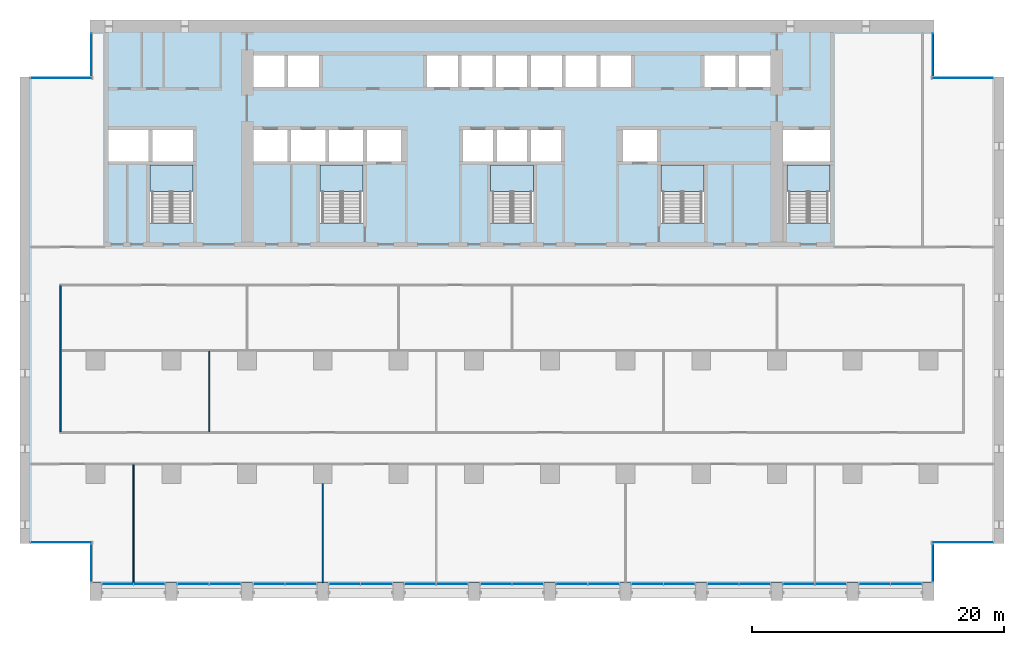
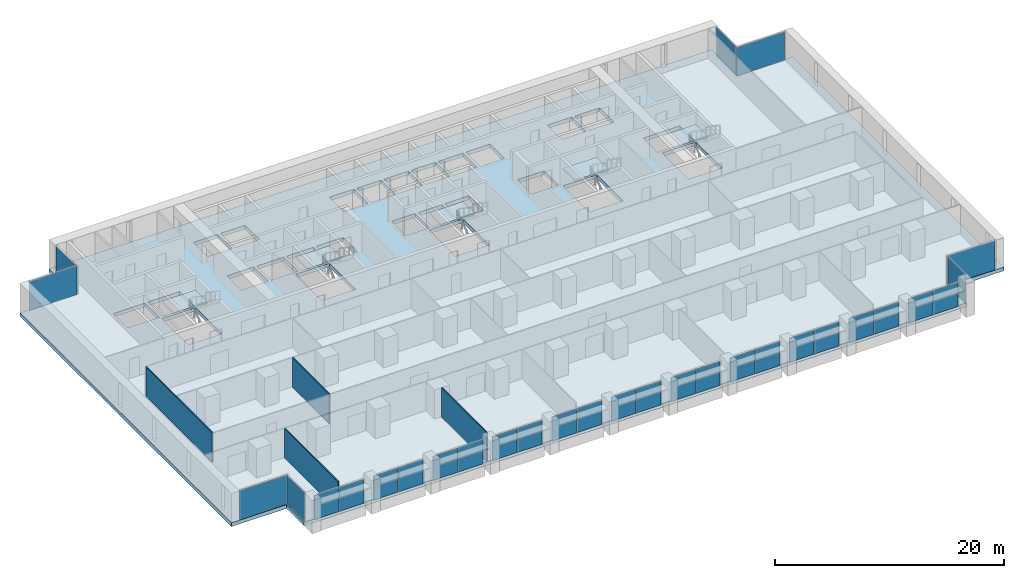
# One storey, part 7 of 18: 30 plates, 6 slabs, 4 walls, 24 elements without a shape of their own.
"""IFC4 building model written with IfcOpenShell, lengths in metres."""

from ifc_helpers import new_model, si_unit, direction, frame, frame_2d, origin, origin_2d, place, context, subcontext, project, spatial, polyline, rectangle, outline, extrude, material, layer, layer_set, type_object, element, aggregate, save


model = new_model("IFC4")

# Units and contexts
model_context = context("Model", 3, precision=1e-05, world=origin(), true_north=direction((0.0, 1.0)))
body_context = subcontext(model_context, "Body", "Model", "MODEL_VIEW")
ifc_project = project(units=[si_unit("LENGTHUNIT", "METRE"), si_unit("AREAUNIT", "SQUARE_METRE"), si_unit("VOLUMEUNIT", "CUBIC_METRE"), si_unit("PLANEANGLEUNIT", "RADIAN"), si_unit("MASSUNIT", "GRAM", prefix="KILO")], contexts=[model_context])

# Site, building, storey
site_placement = place(None, origin())
site = spatial("IfcSite", under=ifc_project, at=site_placement, CompositionType="ELEMENT")
building_placement = place(site_placement, origin())
building = spatial("IfcBuilding", under=site, at=building_placement, Name="Calvaro Tower", CompositionType="ELEMENT")
storey_placement = place(building_placement, frame((0.0, 0.0, 86.25)))
storey = spatial("IfcBuildingStorey", under=building, at=storey_placement, Name="L21", CompositionType="ELEMENT", Elevation=86.25)

# Slab
ifc_material_1 = material(Name="Concrete C40/50", Category="concrete")
ifc_layer_1 = layer(ifc_material_1, 0.39990234375)
ifc_layer_set_1 = layer_set([ifc_layer_1], Name="Concrete C40/50")
slab_type_1 = type_object("IfcSlabType", Name="Floor slab 400 C40/50", PredefinedType="FLOOR", material=ifc_layer_set_1)
slab_1_placement = place(storey_placement, frame((0.0, 0.0, -0.39990234375)))
element("IfcSlab", 1, at=slab_1_placement, inside=storey, type_object=slab_type_1, Name="Floor slab", PredefinedType="FLOOR", context=body_context, shape_type="SweptSolid", body=[
    extrude(outline(polyline([(72.449951171875, 4.5), (72.449951171875, 1.39990234375), (5.550048828125, 1.39990234375), (5.550048828125, 4.5), (0.0, 4.5), (0.0, 41.5), (5.550048828125, 41.5), (5.550048828125, 46.0), (72.449951171875, 46.0), (72.449951171875, 41.5), (78.0, 41.5), (78.0, 4.5), (72.449951171875, 4.5)]), holes=[polyline([(10.300048828125, 29.909912109375), (10.300048828125, 34.5), (12.0, 34.5), (13.699951171875, 34.5), (13.699951171875, 29.909912109375), (12.0, 29.909912109375), (10.300048828125, 29.909912109375)]), polyline([(23.800048828125, 29.909912109375), (23.800048828125, 34.5), (25.5, 34.5), (27.199951171875, 34.5), (27.199951171875, 29.909912109375), (25.5, 29.909912109375), (23.800048828125, 29.909912109375)]), polyline([(37.300048828125, 29.909912109375), (37.300048828125, 34.5), (39.0, 34.5), (40.699951171875, 34.5), (40.699951171875, 29.909912109375), (39.0, 29.909912109375), (37.300048828125, 29.909912109375)]), polyline([(50.800048828125, 29.909912109375), (50.800048828125, 34.5), (52.5, 34.5), (54.199951171875, 34.5), (54.199951171875, 29.909912109375), (52.5, 29.909912109375), (50.800048828125, 29.909912109375)]), polyline([(60.800048828125, 29.909912109375), (60.800048828125, 34.5), (62.5, 34.5), (64.199951171875, 34.5), (64.199951171875, 29.909912109375), (62.5, 29.909912109375), (60.800048828125, 29.909912109375)]), polyline([(18.5, 34.800048828125), (21.199951171875, 34.800048828125), (21.199951171875, 37.300048828125), (18.5, 37.300048828125), (18.5, 34.800048828125)]), polyline([(21.5, 34.800048828125), (24.199951171875, 34.800048828125), (24.199951171875, 37.300048828125), (21.5, 37.300048828125), (21.5, 34.800048828125)]), polyline([(24.5, 34.800048828125), (27.199951171875, 34.800048828125), (27.199951171875, 37.300048828125), (24.5, 37.300048828125), (24.5, 34.800048828125)]), polyline([(35.10009765625, 34.800048828125), (37.5, 34.800048828125), (37.5, 37.300048828125), (35.10009765625, 37.300048828125), (35.10009765625, 34.800048828125)]), polyline([(37.800048828125, 34.800048828125), (40.199951171875, 34.800048828125), (40.199951171875, 37.300048828125), (37.800048828125, 37.300048828125), (37.800048828125, 34.800048828125)]), polyline([(40.5, 34.800048828125), (42.89990234375, 34.800048828125), (42.89990234375, 37.300048828125), (40.5, 37.300048828125), (40.5, 34.800048828125)]), polyline([(18.5, 40.699951171875), (20.949951171875, 40.699951171875), (20.949951171875, 43.199951171875), (18.5, 43.199951171875), (18.5, 40.699951171875)]), polyline([(21.25, 40.699951171875), (23.699951171875, 40.699951171875), (23.699951171875, 43.199951171875), (21.25, 43.199951171875), (21.25, 40.699951171875)]), polyline([(32.25, 40.699951171875), (34.699951171875, 40.699951171875), (34.699951171875, 43.199951171875), (32.25, 43.199951171875), (32.25, 40.699951171875)]), polyline([(35.0, 40.699951171875), (37.449951171875, 40.699951171875), (37.449951171875, 43.199951171875), (35.0, 43.199951171875), (35.0, 40.699951171875)]), polyline([(37.75, 40.699951171875), (40.199951171875, 40.699951171875), (40.199951171875, 43.199951171875), (37.75, 43.199951171875), (37.75, 40.699951171875)]), polyline([(40.5, 40.699951171875), (42.949951171875, 40.699951171875), (42.949951171875, 43.199951171875), (40.5, 43.199951171875), (40.5, 40.699951171875)]), polyline([(43.25, 40.699951171875), (45.699951171875, 40.699951171875), (45.699951171875, 43.199951171875), (43.25, 43.199951171875), (43.25, 40.699951171875)]), polyline([(46.0, 40.699951171875), (48.449951171875, 40.699951171875), (48.449951171875, 43.199951171875), (46.0, 43.199951171875), (46.0, 40.699951171875)]), polyline([(54.25, 40.699951171875), (56.699951171875, 40.699951171875), (56.699951171875, 43.199951171875), (54.25, 43.199951171875), (54.25, 40.699951171875)]), polyline([(57.0, 40.699951171875), (59.5, 40.699951171875), (59.5, 43.199951171875), (57.0, 43.199951171875), (57.0, 40.699951171875)]), polyline([(7.0, 34.800048828125), (10.199951171875, 34.800048828125), (10.199951171875, 37.300048828125), (7.0, 37.300048828125), (7.0, 34.800048828125)]), polyline([(10.5, 34.800048828125), (13.699951171875, 34.800048828125), (13.699951171875, 37.300048828125), (10.5, 37.300048828125), (10.5, 34.800048828125)]), polyline([(60.5, 34.800048828125), (64.199951171875, 34.800048828125), (64.199951171875, 37.300048828125), (60.5, 37.300048828125), (60.5, 34.800048828125)]), polyline([(27.5, 34.800048828125), (30.199951171875, 34.800048828125), (30.199951171875, 37.300048828125), (27.5, 37.300048828125), (27.5, 34.800048828125)]), polyline([(47.800048828125, 34.800048828125), (50.5, 34.800048828125), (50.5, 37.300048828125), (47.800048828125, 37.300048828125), (47.800048828125, 34.800048828125)])]), origin(), (0.0, 0.0, 1.0), 0.39990234375),
])

# Curtain wall, plates
ifc_material_2 = material(Name="Anodised aluminium", Category="aluminium")
curtain_wall_type = type_object("IfcCurtainWallType", Name="Office curtain wall, lower zone", PredefinedType="NOTDEFINED", material=ifc_material_2)
curtain_wall_1_placement = place(storey_placement, origin())
curtain_wall_1 = element("IfcCurtainWall", 2, at=curtain_wall_1_placement, inside=storey, type_object=curtain_wall_type, Name="CW1 south curtain wall", PredefinedType="NOTDEFINED")
ifc_material_3 = material(Name="Glass", Category="glass")
ifc_layer_2 = layer(ifc_material_3, 0.028076171875)
ifc_layer_set_2 = layer_set([ifc_layer_2], Name="Glass")
plate_type = type_object("IfcPlateType", Name="Glass panel S1 28", PredefinedType="CURTAIN_PANEL", material=ifc_layer_set_2)
plate_1_placement = place(storey_placement, frame((7.739990234375, 1.300048828125, 0.0), z_axis=(0.0, 0.0, 1.0), x_axis=(1.0, 0.0, 0.0)))
plate_1 = element("IfcPlate", 3, at=plate_1_placement, type_object=plate_type, Name="CW1 glass panel 1.1", PredefinedType="CURTAIN_PANEL", context=body_context, shape_type="SweptSolid", body=[
    extrude(rectangle(XDim=2.4599609375, YDim=0.028076171875, at=origin_2d()), origin(), (0.0, 0.0, 1.0), 2.550048828125),
])
plate_2_placement = place(storey_placement, frame((10.260009765625, 1.300048828125, 0.0), z_axis=(0.0, 0.0, 1.0), x_axis=(1.0, 0.0, 0.0)))
plate_2 = element("IfcPlate", 4, at=plate_2_placement, type_object=plate_type, Name="CW1 glass panel 2.1", PredefinedType="CURTAIN_PANEL", context=body_context, shape_type="SweptSolid", body=[
    extrude(rectangle(XDim=2.4599609375, YDim=0.028076171875, at=origin_2d()), origin(), (0.0, 0.0, 1.0), 2.550048828125),
])
aggregate(curtain_wall_1, [plate_1, plate_2])

curtain_wall_2_placement = place(storey_placement, origin())
curtain_wall_2 = element("IfcCurtainWall", 5, at=curtain_wall_2_placement, inside=storey, type_object=curtain_wall_type, Name="CW1 south curtain wall", PredefinedType="NOTDEFINED")
plate_3_placement = place(storey_placement, frame((13.739990234375, 1.300048828125, 0.0), z_axis=(0.0, 0.0, 1.0), x_axis=(1.0, 0.0, 0.0)))
plate_3 = element("IfcPlate", 6, at=plate_3_placement, type_object=plate_type, Name="CW1 glass panel 1.1", PredefinedType="CURTAIN_PANEL", context=body_context, shape_type="SweptSolid", body=[
    extrude(rectangle(XDim=2.4599609375, YDim=0.028076171875, at=origin_2d()), origin(), (0.0, 0.0, 1.0), 2.550048828125),
])
plate_4_placement = place(storey_placement, frame((16.260009765625, 1.300048828125, 0.0), z_axis=(0.0, 0.0, 1.0), x_axis=(1.0, 0.0, 0.0)))
plate_4 = element("IfcPlate", 7, at=plate_4_placement, type_object=plate_type, Name="CW1 glass panel 2.1", PredefinedType="CURTAIN_PANEL", context=body_context, shape_type="SweptSolid", body=[
    extrude(rectangle(XDim=2.4599609375, YDim=0.028076171875, at=origin_2d()), origin(), (0.0, 0.0, 1.0), 2.550048828125),
])
aggregate(curtain_wall_2, [plate_3, plate_4])

curtain_wall_3_placement = place(storey_placement, origin())
curtain_wall_3 = element("IfcCurtainWall", 8, at=curtain_wall_3_placement, inside=storey, type_object=curtain_wall_type, Name="CW1 south curtain wall", PredefinedType="NOTDEFINED")
plate_5_placement = place(storey_placement, frame((19.739990234375, 1.300048828125, 0.0), z_axis=(0.0, 0.0, 1.0), x_axis=(1.0, 0.0, 0.0)))
plate_5 = element("IfcPlate", 9, at=plate_5_placement, type_object=plate_type, Name="CW1 glass panel 1.1", PredefinedType="CURTAIN_PANEL", context=body_context, shape_type="SweptSolid", body=[
    extrude(rectangle(XDim=2.4599609375, YDim=0.028076171875, at=origin_2d()), origin(), (0.0, 0.0, 1.0), 2.550048828125),
])
plate_6_placement = place(storey_placement, frame((22.260009765625, 1.300048828125, 0.0), z_axis=(0.0, 0.0, 1.0), x_axis=(1.0, 0.0, 0.0)))
plate_6 = element("IfcPlate", 10, at=plate_6_placement, type_object=plate_type, Name="CW1 glass panel 2.1", PredefinedType="CURTAIN_PANEL", context=body_context, shape_type="SweptSolid", body=[
    extrude(rectangle(XDim=2.4599609375, YDim=0.028076171875, at=origin_2d()), origin(), (0.0, 0.0, 1.0), 2.550048828125),
])
aggregate(curtain_wall_3, [plate_5, plate_6])

curtain_wall_4_placement = place(storey_placement, origin())
curtain_wall_4 = element("IfcCurtainWall", 11, at=curtain_wall_4_placement, inside=storey, type_object=curtain_wall_type, Name="CW1 south curtain wall", PredefinedType="NOTDEFINED")
plate_7_placement = place(storey_placement, frame((25.739990234375, 1.300048828125, 0.0), z_axis=(0.0, 0.0, 1.0), x_axis=(1.0, 0.0, 0.0)))
plate_7 = element("IfcPlate", 12, at=plate_7_placement, type_object=plate_type, Name="CW1 glass panel 1.1", PredefinedType="CURTAIN_PANEL", context=body_context, shape_type="SweptSolid", body=[
    extrude(rectangle(XDim=2.4599609375, YDim=0.028076171875, at=origin_2d()), origin(), (0.0, 0.0, 1.0), 2.550048828125),
])
plate_8_placement = place(storey_placement, frame((28.260009765625, 1.300048828125, 0.0), z_axis=(0.0, 0.0, 1.0), x_axis=(1.0, 0.0, 0.0)))
plate_8 = element("IfcPlate", 13, at=plate_8_placement, type_object=plate_type, Name="CW1 glass panel 2.1", PredefinedType="CURTAIN_PANEL", context=body_context, shape_type="SweptSolid", body=[
    extrude(rectangle(XDim=2.4599609375, YDim=0.028076171875, at=origin_2d()), origin(), (0.0, 0.0, 1.0), 2.550048828125),
])
aggregate(curtain_wall_4, [plate_7, plate_8])

curtain_wall_5_placement = place(storey_placement, origin())
curtain_wall_5 = element("IfcCurtainWall", 14, at=curtain_wall_5_placement, inside=storey, type_object=curtain_wall_type, Name="CW1 south curtain wall", PredefinedType="NOTDEFINED")
plate_9_placement = place(storey_placement, frame((31.739990234375, 1.300048828125, 0.0), z_axis=(0.0, 0.0, 1.0), x_axis=(1.0, 0.0, 0.0)))
plate_9 = element("IfcPlate", 15, at=plate_9_placement, type_object=plate_type, Name="CW1 glass panel 1.1", PredefinedType="CURTAIN_PANEL", context=body_context, shape_type="SweptSolid", body=[
    extrude(rectangle(XDim=2.4599609375, YDim=0.028076171875, at=origin_2d()), origin(), (0.0, 0.0, 1.0), 2.550048828125),
])
plate_10_placement = place(storey_placement, frame((34.260009765625, 1.300048828125, 0.0), z_axis=(0.0, 0.0, 1.0), x_axis=(1.0, 0.0, 0.0)))
plate_10 = element("IfcPlate", 16, at=plate_10_placement, type_object=plate_type, Name="CW1 glass panel 2.1", PredefinedType="CURTAIN_PANEL", context=body_context, shape_type="SweptSolid", body=[
    extrude(rectangle(XDim=2.4599609375, YDim=0.028076171875, at=origin_2d()), origin(), (0.0, 0.0, 1.0), 2.550048828125),
])
aggregate(curtain_wall_5, [plate_9, plate_10])

curtain_wall_6_placement = place(storey_placement, origin())
curtain_wall_6 = element("IfcCurtainWall", 17, at=curtain_wall_6_placement, inside=storey, type_object=curtain_wall_type, Name="CW1 south curtain wall", PredefinedType="NOTDEFINED")
plate_11_placement = place(storey_placement, frame((37.739990234375, 1.300048828125, 0.0), z_axis=(0.0, 0.0, 1.0), x_axis=(1.0, 0.0, 0.0)))
plate_11 = element("IfcPlate", 18, at=plate_11_placement, type_object=plate_type, Name="CW1 glass panel 1.1", PredefinedType="CURTAIN_PANEL", context=body_context, shape_type="SweptSolid", body=[
    extrude(rectangle(XDim=2.4599609375, YDim=0.028076171875, at=origin_2d()), origin(), (0.0, 0.0, 1.0), 2.550048828125),
])
plate_12_placement = place(storey_placement, frame((40.260009765625, 1.300048828125, 0.0), z_axis=(0.0, 0.0, 1.0), x_axis=(1.0, 0.0, 0.0)))
plate_12 = element("IfcPlate", 19, at=plate_12_placement, type_object=plate_type, Name="CW1 glass panel 2.1", PredefinedType="CURTAIN_PANEL", context=body_context, shape_type="SweptSolid", body=[
    extrude(rectangle(XDim=2.4599609375, YDim=0.028076171875, at=origin_2d()), origin(), (0.0, 0.0, 1.0), 2.550048828125),
])
aggregate(curtain_wall_6, [plate_11, plate_12])

curtain_wall_7_placement = place(storey_placement, origin())
curtain_wall_7 = element("IfcCurtainWall", 20, at=curtain_wall_7_placement, inside=storey, type_object=curtain_wall_type, Name="CW1 south curtain wall", PredefinedType="NOTDEFINED")
plate_13_placement = place(storey_placement, frame((43.739990234375, 1.300048828125, 0.0), z_axis=(0.0, 0.0, 1.0), x_axis=(1.0, 0.0, 0.0)))
plate_13 = element("IfcPlate", 21, at=plate_13_placement, type_object=plate_type, Name="CW1 glass panel 1.1", PredefinedType="CURTAIN_PANEL", context=body_context, shape_type="SweptSolid", body=[
    extrude(rectangle(XDim=2.4599609375, YDim=0.028076171875, at=origin_2d()), origin(), (0.0, 0.0, 1.0), 2.550048828125),
])
plate_14_placement = place(storey_placement, frame((46.260009765625, 1.300048828125, 0.0), z_axis=(0.0, 0.0, 1.0), x_axis=(1.0, 0.0, 0.0)))
plate_14 = element("IfcPlate", 22, at=plate_14_placement, type_object=plate_type, Name="CW1 glass panel 2.1", PredefinedType="CURTAIN_PANEL", context=body_context, shape_type="SweptSolid", body=[
    extrude(rectangle(XDim=2.4599609375, YDim=0.028076171875, at=origin_2d()), origin(), (0.0, 0.0, 1.0), 2.550048828125),
])
aggregate(curtain_wall_7, [plate_13, plate_14])

curtain_wall_8_placement = place(storey_placement, origin())
curtain_wall_8 = element("IfcCurtainWall", 23, at=curtain_wall_8_placement, inside=storey, type_object=curtain_wall_type, Name="CW1 south curtain wall", PredefinedType="NOTDEFINED")
plate_15_placement = place(storey_placement, frame((49.739990234375, 1.300048828125, 0.0), z_axis=(0.0, 0.0, 1.0), x_axis=(1.0, 0.0, 0.0)))
plate_15 = element("IfcPlate", 24, at=plate_15_placement, type_object=plate_type, Name="CW1 glass panel 1.1", PredefinedType="CURTAIN_PANEL", context=body_context, shape_type="SweptSolid", body=[
    extrude(rectangle(XDim=2.4599609375, YDim=0.028076171875, at=origin_2d()), origin(), (0.0, 0.0, 1.0), 2.550048828125),
])
plate_16_placement = place(storey_placement, frame((52.260009765625, 1.300048828125, 0.0), z_axis=(0.0, 0.0, 1.0), x_axis=(1.0, 0.0, 0.0)))
plate_16 = element("IfcPlate", 25, at=plate_16_placement, type_object=plate_type, Name="CW1 glass panel 2.1", PredefinedType="CURTAIN_PANEL", context=body_context, shape_type="SweptSolid", body=[
    extrude(rectangle(XDim=2.4599609375, YDim=0.028076171875, at=origin_2d()), origin(), (0.0, 0.0, 1.0), 2.550048828125),
])
aggregate(curtain_wall_8, [plate_15, plate_16])

curtain_wall_9_placement = place(storey_placement, origin())
curtain_wall_9 = element("IfcCurtainWall", 26, at=curtain_wall_9_placement, inside=storey, type_object=curtain_wall_type, Name="CW1 south curtain wall", PredefinedType="NOTDEFINED")
plate_17_placement = place(storey_placement, frame((55.739990234375, 1.300048828125, 0.0), z_axis=(0.0, 0.0, 1.0), x_axis=(1.0, 0.0, 0.0)))
plate_17 = element("IfcPlate", 27, at=plate_17_placement, type_object=plate_type, Name="CW1 glass panel 1.1", PredefinedType="CURTAIN_PANEL", context=body_context, shape_type="SweptSolid", body=[
    extrude(rectangle(XDim=2.4599609375, YDim=0.028076171875, at=origin_2d()), origin(), (0.0, 0.0, 1.0), 2.550048828125),
])
plate_18_placement = place(storey_placement, frame((58.260009765625, 1.300048828125, 0.0), z_axis=(0.0, 0.0, 1.0), x_axis=(1.0, 0.0, 0.0)))
plate_18 = element("IfcPlate", 28, at=plate_18_placement, type_object=plate_type, Name="CW1 glass panel 2.1", PredefinedType="CURTAIN_PANEL", context=body_context, shape_type="SweptSolid", body=[
    extrude(rectangle(XDim=2.4599609375, YDim=0.028076171875, at=origin_2d()), origin(), (0.0, 0.0, 1.0), 2.550048828125),
])
aggregate(curtain_wall_9, [plate_17, plate_18])

curtain_wall_10_placement = place(storey_placement, origin())
curtain_wall_10 = element("IfcCurtainWall", 29, at=curtain_wall_10_placement, inside=storey, type_object=curtain_wall_type, Name="CW1 south curtain wall", PredefinedType="NOTDEFINED")
plate_19_placement = place(storey_placement, frame((61.739990234375, 1.300048828125, 0.0), z_axis=(0.0, 0.0, 1.0), x_axis=(1.0, 0.0, 0.0)))
plate_19 = element("IfcPlate", 30, at=plate_19_placement, type_object=plate_type, Name="CW1 glass panel 1.1", PredefinedType="CURTAIN_PANEL", context=body_context, shape_type="SweptSolid", body=[
    extrude(rectangle(XDim=2.4599609375, YDim=0.028076171875, at=origin_2d()), origin(), (0.0, 0.0, 1.0), 2.550048828125),
])
plate_20_placement = place(storey_placement, frame((64.260009765625, 1.300048828125, 0.0), z_axis=(0.0, 0.0, 1.0), x_axis=(1.0, 0.0, 0.0)))
plate_20 = element("IfcPlate", 31, at=plate_20_placement, type_object=plate_type, Name="CW1 glass panel 2.1", PredefinedType="CURTAIN_PANEL", context=body_context, shape_type="SweptSolid", body=[
    extrude(rectangle(XDim=2.4599609375, YDim=0.028076171875, at=origin_2d()), origin(), (0.0, 0.0, 1.0), 2.550048828125),
])
aggregate(curtain_wall_10, [plate_19, plate_20])

curtain_wall_11_placement = place(storey_placement, origin())
curtain_wall_11 = element("IfcCurtainWall", 32, at=curtain_wall_11_placement, inside=storey, type_object=curtain_wall_type, Name="CW1 south curtain wall", PredefinedType="NOTDEFINED")
plate_21_placement = place(storey_placement, frame((67.739990234375, 1.300048828125, 0.0), z_axis=(0.0, 0.0, 1.0), x_axis=(1.0, 0.0, 0.0)))
plate_21 = element("IfcPlate", 33, at=plate_21_placement, type_object=plate_type, Name="CW1 glass panel 1.1", PredefinedType="CURTAIN_PANEL", context=body_context, shape_type="SweptSolid", body=[
    extrude(rectangle(XDim=2.4599609375, YDim=0.028076171875, at=origin_2d()), origin(), (0.0, 0.0, 1.0), 2.550048828125),
])
plate_22_placement = place(storey_placement, frame((70.260009765625, 1.300048828125, 0.0), z_axis=(0.0, 0.0, 1.0), x_axis=(1.0, 0.0, 0.0)))
plate_22 = element("IfcPlate", 34, at=plate_22_placement, type_object=plate_type, Name="CW1 glass panel 2.1", PredefinedType="CURTAIN_PANEL", context=body_context, shape_type="SweptSolid", body=[
    extrude(rectangle(XDim=2.4599609375, YDim=0.028076171875, at=origin_2d()), origin(), (0.0, 0.0, 1.0), 2.550048828125),
])
aggregate(curtain_wall_11, [plate_21, plate_22])

# Curtain wall, plate
curtain_wall_12_placement = place(storey_placement, origin())
curtain_wall_12 = element("IfcCurtainWall", 35, at=curtain_wall_12_placement, inside=storey, type_object=curtain_wall_type, Name="CW1 corner curtain wall", PredefinedType="NOTDEFINED")
plate_23_placement = place(storey_placement, frame((5.64990234375, 2.949951171875, 0.0), z_axis=(0.0, 0.0, 1.0), x_axis=(0.0, 1.0, 0.0)))
plate_23 = element("IfcPlate", 36, at=plate_23_placement, type_object=plate_type, Name="CW1 glass panel 1.1", PredefinedType="CURTAIN_PANEL", context=body_context, shape_type="SweptSolid", body=[
    extrude(rectangle(XDim=2.97998046875, YDim=0.028076171875, at=origin_2d()), origin(), (0.0, 0.0, 1.0), 3.050048828125),
])
aggregate(curtain_wall_12, [plate_23])

curtain_wall_13_placement = place(storey_placement, origin())
curtain_wall_13 = element("IfcCurtainWall", 37, at=curtain_wall_13_placement, inside=storey, type_object=curtain_wall_type, Name="CW1 corner curtain wall", PredefinedType="NOTDEFINED")
plate_24_placement = place(storey_placement, frame((3.27490234375, 4.60009765625, 0.0), z_axis=(0.0, 0.0, 1.0), x_axis=(1.0, 0.0, 0.0)))
plate_24 = element("IfcPlate", 38, at=plate_24_placement, type_object=plate_type, Name="CW1 glass panel 1.1", PredefinedType="CURTAIN_PANEL", context=body_context, shape_type="SweptSolid", body=[
    extrude(rectangle(XDim=4.830078125, YDim=0.028076171875, at=origin_2d()), origin(), (0.0, 0.0, 1.0), 3.050048828125),
])
aggregate(curtain_wall_13, [plate_24])

curtain_wall_14_placement = place(storey_placement, origin())
curtain_wall_14 = element("IfcCurtainWall", 39, at=curtain_wall_14_placement, inside=storey, type_object=curtain_wall_type, Name="CW1 corner curtain wall", PredefinedType="NOTDEFINED")
plate_25_placement = place(storey_placement, frame((5.64990234375, 43.25, 0.0), z_axis=(0.0, 0.0, 1.0), x_axis=(0.0, 1.0, 0.0)))
plate_25 = element("IfcPlate", 40, at=plate_25_placement, type_object=plate_type, Name="CW1 glass panel 1.1", PredefinedType="CURTAIN_PANEL", context=body_context, shape_type="SweptSolid", body=[
    extrude(rectangle(XDim=3.3798828125, YDim=0.028076171875, at=origin_2d()), origin(), (0.0, 0.0, 1.0), 3.050048828125),
])
aggregate(curtain_wall_14, [plate_25])

curtain_wall_15_placement = place(storey_placement, origin())
curtain_wall_15 = element("IfcCurtainWall", 41, at=curtain_wall_15_placement, inside=storey, type_object=curtain_wall_type, Name="CW1 corner curtain wall", PredefinedType="NOTDEFINED")
plate_26_placement = place(storey_placement, frame((3.27490234375, 41.39990234375, 0.0), z_axis=(0.0, 0.0, 1.0), x_axis=(1.0, 0.0, 0.0)))
plate_26 = element("IfcPlate", 42, at=plate_26_placement, type_object=plate_type, Name="CW1 glass panel 1.1", PredefinedType="CURTAIN_PANEL", context=body_context, shape_type="SweptSolid", body=[
    extrude(rectangle(XDim=4.830078125, YDim=0.028076171875, at=origin_2d()), origin(), (0.0, 0.0, 1.0), 3.050048828125),
])
aggregate(curtain_wall_15, [plate_26])

curtain_wall_16_placement = place(storey_placement, origin())
curtain_wall_16 = element("IfcCurtainWall", 43, at=curtain_wall_16_placement, inside=storey, type_object=curtain_wall_type, Name="CW1 corner curtain wall", PredefinedType="NOTDEFINED")
plate_27_placement = place(storey_placement, frame((72.35009765625, 2.949951171875, 0.0), z_axis=(0.0, 0.0, 1.0), x_axis=(0.0, 1.0, 0.0)))
plate_27 = element("IfcPlate", 44, at=plate_27_placement, type_object=plate_type, Name="CW1 glass panel 1.1", PredefinedType="CURTAIN_PANEL", context=body_context, shape_type="SweptSolid", body=[
    extrude(rectangle(XDim=2.97998046875, YDim=0.028076171875, at=origin_2d()), origin(), (0.0, 0.0, 1.0), 3.050048828125),
])
aggregate(curtain_wall_16, [plate_27])

curtain_wall_17_placement = place(storey_placement, origin())
curtain_wall_17 = element("IfcCurtainWall", 45, at=curtain_wall_17_placement, inside=storey, type_object=curtain_wall_type, Name="CW1 corner curtain wall", PredefinedType="NOTDEFINED")
plate_28_placement = place(storey_placement, frame((74.72509765625, 4.60009765625, 0.0), z_axis=(0.0, 0.0, 1.0), x_axis=(1.0, 0.0, 0.0)))
plate_28 = element("IfcPlate", 46, at=plate_28_placement, type_object=plate_type, Name="CW1 glass panel 1.1", PredefinedType="CURTAIN_PANEL", context=body_context, shape_type="SweptSolid", body=[
    extrude(rectangle(XDim=4.830078125, YDim=0.028076171875, at=origin_2d()), origin(), (0.0, 0.0, 1.0), 3.050048828125),
])
aggregate(curtain_wall_17, [plate_28])

curtain_wall_18_placement = place(storey_placement, origin())
curtain_wall_18 = element("IfcCurtainWall", 47, at=curtain_wall_18_placement, inside=storey, type_object=curtain_wall_type, Name="CW1 corner curtain wall", PredefinedType="NOTDEFINED")
plate_29_placement = place(storey_placement, frame((72.35009765625, 43.25, 0.0), z_axis=(0.0, 0.0, 1.0), x_axis=(0.0, 1.0, 0.0)))
plate_29 = element("IfcPlate", 48, at=plate_29_placement, type_object=plate_type, Name="CW1 glass panel 1.1", PredefinedType="CURTAIN_PANEL", context=body_context, shape_type="SweptSolid", body=[
    extrude(rectangle(XDim=3.3798828125, YDim=0.028076171875, at=origin_2d()), origin(), (0.0, 0.0, 1.0), 3.050048828125),
])
aggregate(curtain_wall_18, [plate_29])

curtain_wall_19_placement = place(storey_placement, origin())
curtain_wall_19 = element("IfcCurtainWall", 49, at=curtain_wall_19_placement, inside=storey, type_object=curtain_wall_type, Name="CW1 corner curtain wall", PredefinedType="NOTDEFINED")
plate_30_placement = place(storey_placement, frame((74.72509765625, 41.39990234375, 0.0), z_axis=(0.0, 0.0, 1.0), x_axis=(1.0, 0.0, 0.0)))
plate_30 = element("IfcPlate", 50, at=plate_30_placement, type_object=plate_type, Name="CW1 glass panel 1.1", PredefinedType="CURTAIN_PANEL", context=body_context, shape_type="SweptSolid", body=[
    extrude(rectangle(XDim=4.830078125, YDim=0.028076171875, at=origin_2d()), origin(), (0.0, 0.0, 1.0), 3.050048828125),
])
aggregate(curtain_wall_19, [plate_30])

# Stair, slab
ifc_material_4 = material(Name="Concrete C40/50", Category="concrete")
stair_type = type_object("IfcStairType", Name="Exit stair 1400 2 flights", PredefinedType="HALF_TURN_STAIR", material=ifc_material_4)
stair_1_placement = place(storey_placement, origin())
stair_1 = element("IfcStair", 51, at=stair_1_placement, inside=storey, type_object=stair_type, Name="Exit stair S1", PredefinedType="HALF_TURN_STAIR")
ifc_material_5 = material(Name="Concrete C40/50", Category="concrete")
ifc_layer_3 = layer(ifc_material_5, 0.199951171875)
ifc_layer_set_3 = layer_set([ifc_layer_3], Name="Concrete C40/50")
slab_type_2 = type_object("IfcSlabType", Name="Stair landing", PredefinedType="LANDING", material=ifc_layer_set_3)
slab_2_placement = place(storey_placement, frame((0.0, 0.0, 1.675048828125)))
slab_2 = element("IfcSlab", 52, at=slab_2_placement, type_object=slab_type_2, Name="Exit stair 1, landing 1", PredefinedType="LANDING", context=body_context, shape_type="SweptSolid", body=[
    extrude(outline(polyline([(11.89990234375, 32.389892578125), (10.5, 32.389892578125), (10.5, 32.39990234375), (10.300048828125, 32.39990234375), (10.300048828125, 34.5), (10.5, 34.5), (11.89990234375, 34.5), (12.10009765625, 34.5), (13.5, 34.5), (13.699951171875, 34.5), (13.699951171875, 32.39990234375), (13.5, 32.39990234375), (13.5, 32.389892578125), (12.10009765625, 32.389892578125), (12.10009765625, 32.39990234375), (11.89990234375, 32.39990234375), (11.89990234375, 32.389892578125)])), origin(), (0.0, 0.0, 1.0), 0.199951171875),
])
aggregate(stair_1, [slab_2])

stair_2_placement = place(storey_placement, origin())
stair_2 = element("IfcStair", 53, at=stair_2_placement, inside=storey, type_object=stair_type, Name="Exit stair S2", PredefinedType="HALF_TURN_STAIR")
slab_3_placement = place(storey_placement, frame((0.0, 0.0, 1.675048828125)))
slab_3 = element("IfcSlab", 54, at=slab_3_placement, type_object=slab_type_2, Name="Exit stair 2, landing 1", PredefinedType="LANDING", context=body_context, shape_type="SweptSolid", body=[
    extrude(outline(polyline([(25.39990234375, 32.389892578125), (24.0, 32.389892578125), (24.0, 32.39990234375), (23.800048828125, 32.39990234375), (23.800048828125, 34.5), (24.0, 34.5), (25.39990234375, 34.5), (25.60009765625, 34.5), (27.0, 34.5), (27.199951171875, 34.5), (27.199951171875, 32.39990234375), (27.0, 32.39990234375), (27.0, 32.389892578125), (25.60009765625, 32.389892578125), (25.60009765625, 32.39990234375), (25.39990234375, 32.39990234375), (25.39990234375, 32.389892578125)])), origin(), (0.0, 0.0, 1.0), 0.199951171875),
])
aggregate(stair_2, [slab_3])

stair_3_placement = place(storey_placement, origin())
stair_3 = element("IfcStair", 55, at=stair_3_placement, inside=storey, type_object=stair_type, Name="Exit stair S3", PredefinedType="HALF_TURN_STAIR")
slab_4_placement = place(storey_placement, frame((0.0, 0.0, 1.675048828125)))
slab_4 = element("IfcSlab", 56, at=slab_4_placement, type_object=slab_type_2, Name="Exit stair 3, landing 1", PredefinedType="LANDING", context=body_context, shape_type="SweptSolid", body=[
    extrude(outline(polyline([(38.89990234375, 32.389892578125), (37.5, 32.389892578125), (37.5, 32.39990234375), (37.300048828125, 32.39990234375), (37.300048828125, 34.5), (37.5, 34.5), (38.89990234375, 34.5), (39.10009765625, 34.5), (40.5, 34.5), (40.699951171875, 34.5), (40.699951171875, 32.39990234375), (40.5, 32.39990234375), (40.5, 32.389892578125), (39.10009765625, 32.389892578125), (39.10009765625, 32.39990234375), (38.89990234375, 32.39990234375), (38.89990234375, 32.389892578125)])), origin(), (0.0, 0.0, 1.0), 0.199951171875),
])
aggregate(stair_3, [slab_4])

stair_4_placement = place(storey_placement, origin())
stair_4 = element("IfcStair", 57, at=stair_4_placement, inside=storey, type_object=stair_type, Name="Exit stair S4", PredefinedType="HALF_TURN_STAIR")
slab_5_placement = place(storey_placement, frame((0.0, 0.0, 1.675048828125)))
slab_5 = element("IfcSlab", 58, at=slab_5_placement, type_object=slab_type_2, Name="Exit stair 4, landing 1", PredefinedType="LANDING", context=body_context, shape_type="SweptSolid", body=[
    extrude(outline(polyline([(52.39990234375, 32.389892578125), (51.0, 32.389892578125), (51.0, 32.39990234375), (50.800048828125, 32.39990234375), (50.800048828125, 34.5), (51.0, 34.5), (52.39990234375, 34.5), (52.60009765625, 34.5), (54.0, 34.5), (54.199951171875, 34.5), (54.199951171875, 32.39990234375), (54.0, 32.39990234375), (54.0, 32.389892578125), (52.60009765625, 32.389892578125), (52.60009765625, 32.39990234375), (52.39990234375, 32.39990234375), (52.39990234375, 32.389892578125)])), origin(), (0.0, 0.0, 1.0), 0.199951171875),
])
aggregate(stair_4, [slab_5])

stair_5_placement = place(storey_placement, origin())
stair_5 = element("IfcStair", 59, at=stair_5_placement, inside=storey, type_object=stair_type, Name="Exit stair S5", PredefinedType="HALF_TURN_STAIR")
slab_6_placement = place(storey_placement, frame((0.0, 0.0, 1.675048828125)))
slab_6 = element("IfcSlab", 60, at=slab_6_placement, type_object=slab_type_2, Name="Exit stair 5, landing 1", PredefinedType="LANDING", context=body_context, shape_type="SweptSolid", body=[
    extrude(outline(polyline([(62.39990234375, 32.389892578125), (61.0, 32.389892578125), (61.0, 32.39990234375), (60.800048828125, 32.39990234375), (60.800048828125, 34.5), (61.0, 34.5), (62.39990234375, 34.5), (62.60009765625, 34.5), (64.0, 34.5), (64.199951171875, 34.5), (64.199951171875, 32.39990234375), (64.0, 32.39990234375), (64.0, 32.389892578125), (62.60009765625, 32.389892578125), (62.60009765625, 32.39990234375), (62.39990234375, 32.39990234375), (62.39990234375, 32.389892578125)])), origin(), (0.0, 0.0, 1.0), 0.199951171875),
])
aggregate(stair_5, [slab_6])

# Walls
ifc_material_6 = material(Name="Plasterboard on steel studs", Category="steel")
ifc_layer_4 = layer(ifc_material_6, 0.10009765625)
ifc_layer_set_4 = layer_set([ifc_layer_4], Name="Plasterboard on steel studs")
wall_type_1 = type_object("IfcWallType", Name="Partition 100", PredefinedType="PARTITIONING", material=ifc_layer_set_4)
wall_1_placement = place(storey_placement, frame((9.0, 1.39990234375, 0.0), z_axis=(0.0, 0.0, 1.0), x_axis=(0.0, 1.0, 0.0)))
element("IfcWall", 61, at=wall_1_placement, inside=storey, type_object=wall_type_1, Name="Partition T14.W008", PredefinedType="PARTITIONING", context=body_context, shape_type="SweptSolid", body=[
    extrude(rectangle(XDim=9.35009765625, YDim=0.10009765625, at=frame_2d((4.675048828125, 0.0))), origin(), (0.0, 0.0, 1.0), 3.14990234375),
])
wall_2_placement = place(storey_placement, frame((24.0, 1.39990234375, 0.0), z_axis=(0.0, 0.0, 1.0), x_axis=(0.0, 1.0, 0.0)))
element("IfcWall", 62, at=wall_2_placement, inside=storey, type_object=wall_type_1, Name="Partition T14.W011", PredefinedType="PARTITIONING", context=body_context, shape_type="SweptSolid", body=[
    extrude(rectangle(XDim=7.85009765625, YDim=0.10009765625, at=frame_2d((3.925048828125, 0.0))), origin(), (0.0, 0.0, 1.0), 3.14990234375),
])
ifc_material_7 = material(Name="Plasterboard on steel studs", Category="steel")
ifc_layer_5 = layer(ifc_material_7, 0.10009765625)
ifc_layer_set_5 = layer_set([ifc_layer_5], Name="Plasterboard on steel studs")
wall_type_2 = type_object("IfcWallType", Name="Partition 100 REI 120", PredefinedType="PARTITIONING", material=ifc_layer_set_5)
wall_3_placement = place(storey_placement, frame((3.199951171875, 13.35009765625, 0.0), z_axis=(0.0, 0.0, 1.0), x_axis=(0.0, 1.0, 0.0)))
element("IfcWall", 63, at=wall_3_placement, inside=storey, type_object=wall_type_2, Name="Partition T14.W007", PredefinedType="PARTITIONING", context=body_context, shape_type="SweptSolid", body=[
    extrude(rectangle(XDim=11.599853515625, YDim=0.10009765625, at=frame_2d((5.7998046875, 0.0))), origin(), (0.0, 0.0, 1.0), 3.14990234375),
])
wall_4_placement = place(storey_placement, frame((15.0, 13.35009765625, 0.0), z_axis=(0.0, 0.0, 1.0), x_axis=(0.0, 1.0, 0.0)))
element("IfcWall", 64, at=wall_4_placement, inside=storey, type_object=wall_type_2, Name="Partition T14.W009", PredefinedType="PARTITIONING", context=body_context, shape_type="SweptSolid", body=[
    extrude(rectangle(XDim=6.39990234375, YDim=0.10009765625, at=frame_2d((3.199951171875, 0.0))), origin(), (0.0, 0.0, 1.0), 3.14990234375),
])

save(model, "model.ifc")
